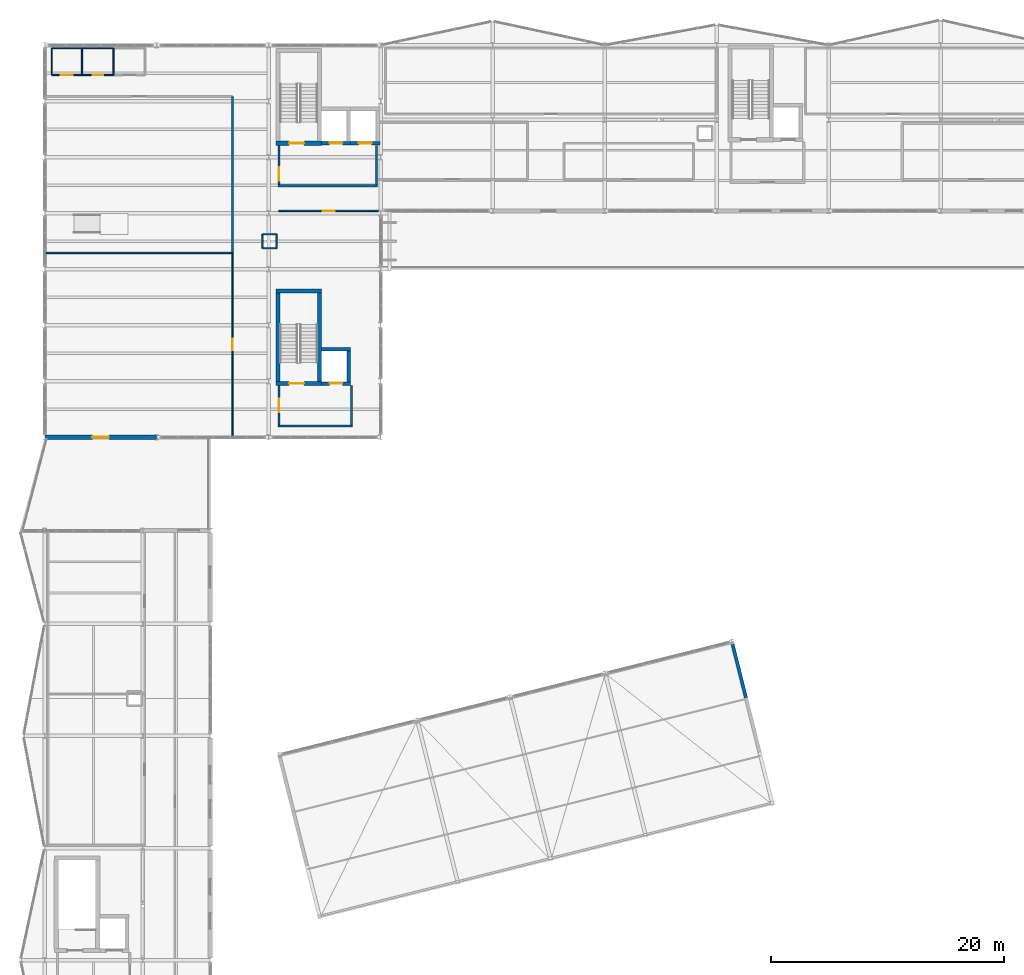
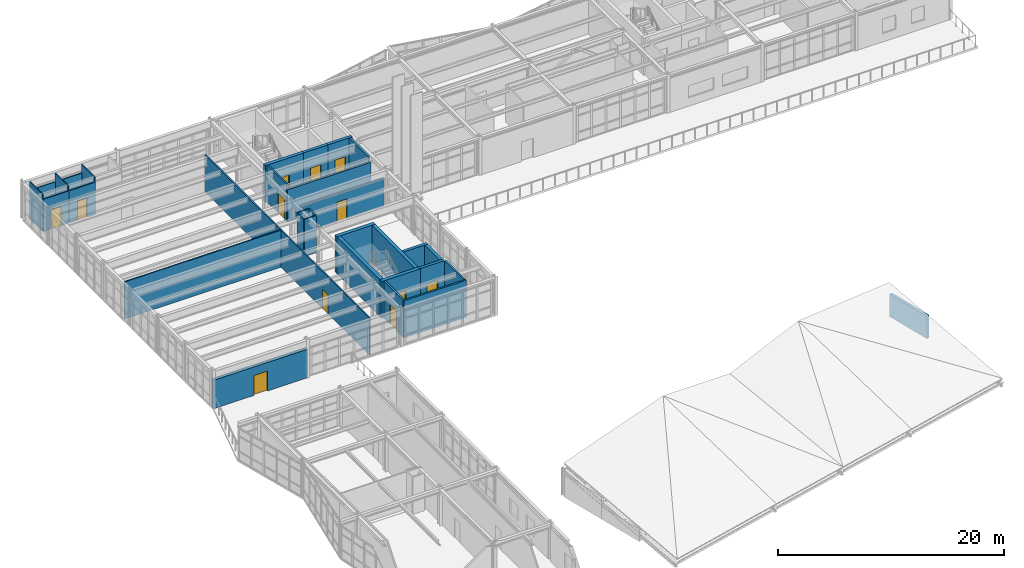
# One storey, part 41 of 47: 33 walls, 12 doors, 12 openings.
"""IFC4 building model written with IfcOpenShell, lengths in metres."""

from ifc_helpers import new_model, si_unit, direction, frame, frame_2d, origin, place, context, subcontext, project, spatial, rectangle, extrude, material, layer, layer_set, type_object, element, fill, save


model = new_model("IFC4")

# Units and contexts
model_context = context("Model", 3, precision=1e-05, world=origin(), true_north=direction((0.0, 1.0)))
body_context = subcontext(model_context, "Body", "Model", "MODEL_VIEW")
ifc_project = project(units=[si_unit("LENGTHUNIT", "METRE"), si_unit("AREAUNIT", "SQUARE_METRE"), si_unit("VOLUMEUNIT", "CUBIC_METRE"), si_unit("PLANEANGLEUNIT", "RADIAN"), si_unit("MASSUNIT", "GRAM", prefix="KILO")], contexts=[model_context])

# Site, building, storey
site_placement = place(None, origin())
site = spatial("IfcSite", under=ifc_project, at=site_placement, CompositionType="ELEMENT")
building_placement = place(site_placement, origin())
building = spatial("IfcBuilding", under=site, at=building_placement, Name="Nordkorset Police Headquarters", CompositionType="ELEMENT")
storey_placement = place(building_placement, frame((0.0, 0.0, 22.050048828125)))
storey = spatial("IfcBuildingStorey", under=building, at=storey_placement, Name="L05", CompositionType="ELEMENT", Elevation=22.050048828125)

# Walls
ifc_material_1 = material(Name="Gypsum board", Category="gypsum")
ifc_layer_1 = layer(ifc_material_1, 0.139892578125, Name="Gypsum board")
ifc_layer_set_1 = layer_set([ifc_layer_1], Name="Gypsum board")
wall_type_1 = type_object("IfcWallType", Name="Wall_Acoust_140", PredefinedType="PARTITIONING", material=ifc_layer_set_1)
wall_1_placement = place(storey_placement, frame((16.10009765625, 99.054931640625, 0.0), z_axis=(0.0, 0.0, 1.0), x_axis=(0.0, 1.0, 0.0)))
element("IfcWall", 1, at=wall_1_placement, inside=storey, type_object=wall_type_1, Name="Interior Partition Wall Case Preparation Hearing Room", PredefinedType="PARTITIONING", context=body_context, shape_type="SweptSolid", body=[
    extrude(rectangle(XDim=13.344970703125, YDim=0.139892578125, at=frame_2d((6.67236328125, 0.0))), origin(), (0.0, 0.0, 1.0), 4.0),
])
ifc_material_2 = material(Name="Gypsum board", Category="gypsum")
ifc_layer_2 = layer(ifc_material_2, 0.179931640625, Name="Gypsum board")
ifc_layer_set_2 = layer_set([ifc_layer_2], Name="Gypsum board")
wall_type_2 = type_object("IfcWallType", Name="Wall_Comp_180", PredefinedType="PARTITIONING", material=ifc_layer_set_2)
wall_2_placement = place(storey_placement, frame((20.0, 104.760009765625, 0.0), z_axis=(0.0, 0.0, 1.0), x_axis=(1.0, 0.0, 0.0)))
element("IfcWall", 2, at=wall_2_placement, inside=storey, type_object=wall_type_2, Name="Firefighting Lobby EI 60 Wall K1 L05 S", PredefinedType="PARTITIONING", context=body_context, shape_type="SweptSolid", body=[
    extrude(rectangle(XDim=8.550048828125, YDim=0.179931640625, at=frame_2d((4.27490234375, 0.0))), origin(), (0.0, 0.0, 1.0), 3.47998046875),
])

# Wall, opening, door
wall_3_placement = place(storey_placement, frame((20.090087890625, 104.85009765625, 0.0), z_axis=(0.0, 0.0, 1.0), x_axis=(0.0, 1.0, 0.0)))
wall_3 = element("IfcWall", 3, at=wall_3_placement, inside=storey, type_object=wall_type_2, Name="Firefighting Lobby EI 60 Wall K1 L05 W", PredefinedType="PARTITIONING", context=body_context, shape_type="SweptSolid", body=[
    extrude(rectangle(XDim=3.375, YDim=0.179931640625, at=frame_2d((1.6875, 0.0))), origin(), (0.0, 0.0, 1.0), 4.0),
])
opening_1_placement = place(wall_3_placement, frame((0.35009765625, 0.0, 0.0)))
opening_1 = element("IfcOpeningElement", 4, at=opening_1_placement, cuts=wall_3, Name="Opening DR-01", PredefinedType="OPENING", context=body_context, shape_type="SweptSolid", body=[
    extrude(rectangle(XDim=1.14990234375, YDim=2.14990234375, at=frame_2d((0.574951171875, 1.074951171875))), frame((0.0, 0.10009765625, 0.0), z_axis=(0.0, -1.0, 0.0), x_axis=(1.0, 0.0, 0.0)), (0.0, 0.0, 1.0), 0.199951171875),
])
ifc_material_3 = material(Name="Steel S355J2", Category="steel")
door_type_1 = type_object("IfcDoorType", Name="Door_LobbySingle_1150x2150", OperationType="NOTDEFINED", PredefinedType="DOOR", material=ifc_material_3)
door_1_placement = place(opening_1_placement, origin())
door_1 = element("IfcDoor", 5, at=door_1_placement, inside=storey, type_object=door_type_1, Name="Firefighting Lobby Smoke Door K1 L05 W", OperationType="SINGLE_SWING_LEFT", OverallHeight=2.14990234375, OverallWidth=1.14990234375, PredefinedType="DOOR", context=body_context, shape_type="SweptSolid", body=[
    extrude(rectangle(XDim=1.14990234375, YDim=2.14990234375, at=frame_2d((0.574951171875, 1.074951171875))), frame((0.0, 0.02490234375, 0.0), z_axis=(0.0, -1.0, 0.0), x_axis=(1.0, 0.0, 0.0)), (0.0, 0.0, 1.0), 0.050048828125),
])
fill(opening_1, door_1)

# Walls
wall_4_placement = place(storey_placement, frame((28.4599609375, 104.85009765625, 0.0), z_axis=(0.0, 0.0, 1.0), x_axis=(0.0, 1.0, 0.0)))
element("IfcWall", 6, at=wall_4_placement, inside=storey, type_object=wall_type_2, Name="Firefighting Lobby EI 60 Wall K1 L05 E", PredefinedType="PARTITIONING", context=body_context, shape_type="SweptSolid", body=[
    extrude(rectangle(XDim=3.375, YDim=0.179931640625, at=frame_2d((1.6875, 0.0))), origin(), (0.0, 0.0, 1.0), 4.0),
])
wall_5_placement = place(storey_placement, frame((20.0, 84.159912109375, 0.0), z_axis=(0.0, 0.0, 1.0), x_axis=(1.0, 0.0, 0.0)))
element("IfcWall", 7, at=wall_5_placement, inside=storey, type_object=wall_type_2, Name="Firefighting Lobby EI 60 Wall K3 L05 S", PredefinedType="PARTITIONING", context=body_context, shape_type="SweptSolid", body=[
    extrude(rectangle(XDim=6.39990234375, YDim=0.179931640625, at=frame_2d((3.199951171875, 0.0))), origin(), (0.0, 0.0, 1.0), 4.0),
])

# Wall, opening, door
wall_6_placement = place(storey_placement, frame((20.090087890625, 84.25, 0.0), z_axis=(0.0, 0.0, 1.0), x_axis=(0.0, 1.0, 0.0)))
wall_6 = element("IfcWall", 8, at=wall_6_placement, inside=storey, type_object=wall_type_2, Name="Firefighting Lobby EI 60 Wall K3 L05 W", PredefinedType="PARTITIONING", context=body_context, shape_type="SweptSolid", body=[
    extrude(rectangle(XDim=3.375, YDim=0.179931640625, at=frame_2d((1.6875, 0.0))), origin(), (0.0, 0.0, 1.0), 4.0),
])
opening_2_placement = place(wall_6_placement, frame((1.112548828125, 0.0, 0.0)))
opening_2 = element("IfcOpeningElement", 9, at=opening_2_placement, cuts=wall_6, Name="Opening DR-01", PredefinedType="OPENING", context=body_context, shape_type="SweptSolid", body=[
    extrude(rectangle(XDim=1.14990234375, YDim=2.14990234375, at=frame_2d((0.574951171875, 1.074951171875))), frame((0.0, 0.10009765625, 0.0), z_axis=(0.0, -1.0, 0.0), x_axis=(1.0, 0.0, 0.0)), (0.0, 0.0, 1.0), 0.199951171875),
])
door_2_placement = place(opening_2_placement, origin())
door_2 = element("IfcDoor", 10, at=door_2_placement, inside=storey, type_object=door_type_1, Name="Firefighting Lobby Smoke Door K3 L05 W", OperationType="SINGLE_SWING_RIGHT", OverallHeight=2.14990234375, OverallWidth=1.14990234375, PredefinedType="DOOR", context=body_context, shape_type="SweptSolid", body=[
    extrude(rectangle(XDim=1.14990234375, YDim=2.14990234375, at=frame_2d((0.574951171875, 1.074951171875))), frame((0.0, 0.02490234375, 0.0), z_axis=(0.0, -1.0, 0.0), x_axis=(1.0, 0.0, 0.0)), (0.0, 0.0, 1.0), 0.050048828125),
])
fill(opening_2, door_2)

# Wall
wall_7_placement = place(storey_placement, frame((26.31005859375, 84.25, 0.0), z_axis=(0.0, 0.0, 1.0), x_axis=(0.0, 1.0, 0.0)))
element("IfcWall", 11, at=wall_7_placement, inside=storey, type_object=wall_type_2, Name="Firefighting Lobby EI 60 Wall K3 L05 E", PredefinedType="PARTITIONING", context=body_context, shape_type="SweptSolid", body=[
    extrude(rectangle(XDim=3.375, YDim=0.179931640625, at=frame_2d((1.6875, 0.0))), origin(), (0.0, 0.0, 1.0), 4.0),
])

# Wall, opening, door
ifc_material_4 = material(Name="Concrete C35/45", Category="concrete")
ifc_layer_3 = layer(ifc_material_4, 0.35009765625, Name="Concrete C35/45")
ifc_layer_set_3 = layer_set([ifc_layer_3], Name="Concrete C35/45")
wall_type_3 = type_object("IfcWallType", Name="Wall_CoreShear_350", PredefinedType="SHEAR", material=ifc_layer_set_3)
wall_8_placement = place(storey_placement, frame((19.824951171875, 108.39990234375, 0.0), z_axis=(0.0, 0.0, 1.0), x_axis=(1.0, 0.0, 0.0)))
wall_8 = element("IfcWall", 12, at=wall_8_placement, inside=storey, type_object=wall_type_3, Name="Core K1 Stair Shaft South Shear Wall L05", PredefinedType="SHEAR", context=body_context, shape_type="SweptSolid", body=[
    extrude(rectangle(XDim=3.900146484375, YDim=0.35009765625, at=frame_2d((1.9501953125, 0.0))), origin(), (0.0, 0.0, 1.0), 4.0),
])
opening_3_placement = place(wall_8_placement, frame((1.125, 0.0, 0.0)))
opening_3 = element("IfcOpeningElement", 13, at=opening_3_placement, cuts=wall_8, Name="Opening DR-20", PredefinedType="OPENING", context=body_context, shape_type="SweptSolid", body=[
    extrude(rectangle(XDim=1.300048828125, YDim=2.14990234375, at=frame_2d((0.64990234375, 1.074951171875))), frame((0.0, 0.18505859375, 0.0), z_axis=(0.0, -1.0, 0.0), x_axis=(1.0, 0.0, 0.0)), (0.0, 0.0, 1.0), 0.3701171875),
])
ifc_material_5 = material(Name="Steel S355J2", Category="steel")
door_type_2 = type_object("IfcDoorType", Name="Door_Stair_1300x2150", OperationType="NOTDEFINED", PredefinedType="DOOR", material=ifc_material_5)
door_3_placement = place(opening_3_placement, frame((1.300048828125, 0.0, 0.0), z_axis=(0.0, 0.0, 1.0), x_axis=(-1.0, 0.0, 0.0)))
door_3 = element("IfcDoor", 14, at=door_3_placement, inside=storey, type_object=door_type_2, Name="Protected Stair Fire Door ST-01 L05", OperationType="SINGLE_SWING_RIGHT", OverallHeight=2.14990234375, OverallWidth=1.300048828125, PredefinedType="DOOR", context=body_context, shape_type="SweptSolid", body=[
    extrude(rectangle(XDim=1.300048828125, YDim=2.14990234375, at=frame_2d((0.64990234375, 1.074951171875))), frame((0.0, 0.02490234375, 0.0), z_axis=(0.0, -1.0, 0.0), x_axis=(1.0, 0.0, 0.0)), (0.0, 0.0, 1.0), 0.050048828125),
])
fill(opening_3, door_3)

wall_9_placement = place(storey_placement, frame((19.824951171875, 87.800048828125, 0.0), z_axis=(0.0, 0.0, 1.0), x_axis=(1.0, 0.0, 0.0)))
wall_9 = element("IfcWall", 15, at=wall_9_placement, inside=storey, type_object=wall_type_3, Name="Core K3 Stair Shaft South Shear Wall L05", PredefinedType="SHEAR", context=body_context, shape_type="SweptSolid", body=[
    extrude(rectangle(XDim=3.900146484375, YDim=0.35009765625, at=frame_2d((1.9501953125, 0.0))), origin(), (0.0, 0.0, 1.0), 4.0),
])
opening_4_placement = place(wall_9_placement, frame((1.125, 0.0, 0.0)))
opening_4 = element("IfcOpeningElement", 16, at=opening_4_placement, cuts=wall_9, Name="Opening DR-20", PredefinedType="OPENING", context=body_context, shape_type="SweptSolid", body=[
    extrude(rectangle(XDim=1.300048828125, YDim=2.14990234375, at=frame_2d((0.64990234375, 1.074951171875))), frame((0.0, 0.18505859375, 0.0), z_axis=(0.0, -1.0, 0.0), x_axis=(1.0, 0.0, 0.0)), (0.0, 0.0, 1.0), 0.3701171875),
])
door_4_placement = place(opening_4_placement, frame((1.300048828125, 0.0, 0.0), z_axis=(0.0, 0.0, 1.0), x_axis=(-1.0, 0.0, 0.0)))
door_4 = element("IfcDoor", 17, at=door_4_placement, inside=storey, type_object=door_type_2, Name="Protected Stair Fire Door ST-03 L05", OperationType="SINGLE_SWING_LEFT", OverallHeight=2.14990234375, OverallWidth=1.300048828125, PredefinedType="DOOR", context=body_context, shape_type="SweptSolid", body=[
    extrude(rectangle(XDim=1.300048828125, YDim=2.14990234375, at=frame_2d((0.64990234375, 1.074951171875))), frame((0.0, 0.02490234375, 0.0), z_axis=(0.0, -1.0, 0.0), x_axis=(1.0, 0.0, 0.0)), (0.0, 0.0, 1.0), 0.050048828125),
])
fill(opening_4, door_4)

# Walls
wall_10_placement = place(storey_placement, frame((19.824951171875, 95.75, 0.0), z_axis=(0.0, 0.0, 1.0), x_axis=(1.0, 0.0, 0.0)))
element("IfcWall", 18, at=wall_10_placement, inside=storey, type_object=wall_type_3, Name="Core K3 Stair Shaft North Shear Wall L05", PredefinedType="SHEAR", context=body_context, shape_type="SweptSolid", body=[
    extrude(rectangle(XDim=3.900146484375, YDim=0.35009765625, at=frame_2d((1.9501953125, 0.0))), origin(), (0.0, 0.0, 1.0), 4.0),
])
for number, where, z_axis, x_axis, name in (
    (19, (20.0, 87.97509765625, 0.0), (0.0, 0.0, 1.0), (0.0, 1.0, 0.0), "Core K3 Stair Shaft West Shear Wall L05"),
    (20, (23.550048828125, 87.97509765625, 0.0), (0.0, 0.0, 1.0), (0.0, 1.0, 0.0), "Core K3 Stair Shaft East Shear Wall L05"),
):
    element("IfcWall", number, at=place(storey_placement, frame(where, z_axis=z_axis, x_axis=x_axis)), inside=storey, type_object=wall_type_3, Name=name, PredefinedType="SHEAR", context=body_context, shape_type="SweptSolid", body=[
        extrude(rectangle(XDim=7.599853515625, YDim=0.35009765625, at=frame_2d((3.7998046875, 0.0))), origin(), (0.0, 0.0, 1.0), 4.0),
    ])

# Wall, opening, door
ifc_material_6 = material(Name="Precast concrete C40/50", Category="concrete")
ifc_layer_4 = layer(ifc_material_6, 0.360107421875, Name="Precast concrete C40/50")
ifc_layer_set_4 = layer_set([ifc_layer_4], Name="Precast concrete C40/50")
wall_type_4 = type_object("IfcWallType", Name="Wall_ExtPrecast_360", PredefinedType="SOLIDWALL", material=ifc_layer_set_4)
wall_11_placement = place(storey_placement, frame((0.009033203125, 83.199951171875, 0.0), z_axis=(0.0, 0.0, 1.0), x_axis=(1.0, 0.0, 0.0)))
wall_11 = element("IfcWall", 21, at=wall_11_placement, inside=storey, type_object=wall_type_4, Name="Exterior Insulated Precast Wall L05 V1S-0", PredefinedType="SOLIDWALL", context=body_context, shape_type="SweptSolid", body=[
    extrude(rectangle(XDim=9.58203125, YDim=0.360107421875, at=frame_2d((4.791015625, 0.0))), origin(), (0.0, 0.0, 1.0), 3.079833984375),
])
opening_5_placement = place(wall_11_placement, frame((4.091064453125, 0.0, 0.0)))
opening_5 = element("IfcOpeningElement", 22, at=opening_5_placement, cuts=wall_11, Name="Opening TD-04", PredefinedType="OPENING", context=body_context, shape_type="SweptSolid", body=[
    extrude(rectangle(XDim=1.39990234375, YDim=2.14990234375, at=frame_2d((0.699951171875, 1.074951171875))), frame((0.0, 0.18994140625, 0.0), z_axis=(0.0, -1.0, 0.0), x_axis=(1.0, 0.0, 0.0)), (0.0, 0.0, 1.0), 0.380126953125),
])
ifc_material_7 = material(Name="Aluminium alloy AW-6060", Category="aluminium")
door_type_3 = type_object("IfcDoorType", Name="ExtDoor_Terrace_1400x2150", OperationType="DOUBLE_DOOR_SINGLE_SWING", PredefinedType="DOOR", material=ifc_material_7)
door_5_placement = place(opening_5_placement, frame((1.39990234375, 0.0, 0.0), z_axis=(0.0, 0.0, 1.0), x_axis=(-1.0, 0.0, 0.0)))
door_5 = element("IfcDoor", 23, at=door_5_placement, inside=storey, type_object=door_type_3, Name="Forensic Wing Roof Terrace Access Door TD-04", OperationType="SINGLE_SWING_LEFT", OverallHeight=2.14990234375, OverallWidth=1.39990234375, PredefinedType="DOOR", context=body_context, shape_type="SweptSolid", body=[
    extrude(rectangle(XDim=1.39990234375, YDim=2.14990234375, at=frame_2d((0.699951171875, 1.074951171875))), frame((0.0, 0.02490234375, 0.0), z_axis=(0.0, -1.0, 0.0), x_axis=(1.0, 0.0, 0.0)), (0.0, 0.0, 1.0), 0.050048828125),
])
fill(opening_5, door_5)

# Wall
ifc_material_8 = material(Name="Precast concrete C40/50", Category="concrete")
ifc_layer_5 = layer(ifc_material_8, 0.280029296875, Name="Precast concrete C40/50")
ifc_layer_set_5 = layer_set([ifc_layer_5], Name="Precast concrete C40/50")
wall_type_5 = type_object("IfcWallType", Name="Wall_ExtSpandrel_280", PredefinedType="SOLIDWALL", material=ifc_layer_set_5)
wall_12_placement = place(storey_placement, frame((60.111328125, 60.87890625, 0.0), z_axis=(0.0, 0.0, 1.0), x_axis=(-0.242535625036, 0.970142500145, 0.0)))
element("IfcWall", 24, at=wall_12_placement, inside=storey, type_object=wall_type_5, Name="Exterior Insulated Precast Wall L05 V4MS-E-1", PredefinedType="SOLIDWALL", context=body_context, shape_type="SweptSolid", body=[
    extrude(rectangle(XDim=4.738037109375, YDim=0.280029296875, at=frame_2d((2.369140625, 0.0))), origin(), (0.0, 0.0, 1.0), 2.449951171875),
])

# Wall, opening, door
ifc_material_9 = material(Name="Gypsum board", Category="gypsum")
ifc_layer_6 = layer(ifc_material_9, 0.10009765625, Name="Gypsum board")
ifc_layer_set_6 = layer_set([ifc_layer_6], Name="Gypsum board")
wall_type_6 = type_object("IfcWallType", Name="Wall_Part_100", PredefinedType="PARTITIONING", material=ifc_layer_set_6)
wall_13_placement = place(storey_placement, frame((0.60009765625, 114.25, 0.0), z_axis=(0.0, 0.0, 1.0), x_axis=(1.0, 0.0, 0.0)))
wall_13 = element("IfcWall", 25, at=wall_13_placement, inside=storey, type_object=wall_type_6, Name="Interior Partition Wall Accessible WC L05W", PredefinedType="PARTITIONING", context=body_context, shape_type="SweptSolid", body=[
    extrude(rectangle(XDim=2.599853515625, YDim=0.10009765625, at=frame_2d((1.2998046875, 0.0))), origin(), (0.0, 0.0, 1.0), 3.47998046875),
])
opening_6_placement = place(wall_13_placement, frame((0.800048828125, 0.0, 0.0)))
opening_6 = element("IfcOpeningElement", 26, at=opening_6_placement, cuts=wall_13, Name="Opening DR-23", PredefinedType="OPENING", context=body_context, shape_type="SweptSolid", body=[
    extrude(rectangle(XDim=1.0, YDim=2.080078125, at=frame_2d((0.5, 1.0400390625))), frame((0.0, 0.06005859375, 0.0), z_axis=(0.0, -1.0, 0.0), x_axis=(1.0, 0.0, 0.0)), (0.0, 0.0, 1.0), 0.1201171875),
])
ifc_material_10 = material(Name="Glulam GL30c", Category="wood")
door_type_4 = type_object("IfcDoorType", Name="Door_WCAccess_1000x2080", OperationType="NOTDEFINED", PredefinedType="DOOR", material=ifc_material_10)
door_6_placement = place(opening_6_placement, frame((1.0, 0.0, 0.0), z_axis=(0.0, 0.0, 1.0), x_axis=(-1.0, 0.0, 0.0)))
door_6 = element("IfcDoor", 27, at=door_6_placement, inside=storey, type_object=door_type_4, Name="Interior Door Accessible WC L05W", OperationType="SINGLE_SWING_RIGHT", OverallHeight=2.080078125, OverallWidth=1.0, PredefinedType="DOOR", context=body_context, shape_type="SweptSolid", body=[
    extrude(rectangle(XDim=1.0, YDim=2.080078125, at=frame_2d((0.5, 1.0400390625))), frame((0.0, 0.02490234375, 0.0), z_axis=(0.0, -1.0, 0.0), x_axis=(1.0, 0.0, 0.0)), (0.0, 0.0, 1.0), 0.050048828125),
])
fill(opening_6, door_6)

# Walls
wall_14_placement = place(storey_placement, frame((3.199951171875, 114.25, 0.0), z_axis=(0.0, 0.0, 1.0), x_axis=(0.0, 1.0, 0.0)))
element("IfcWall", 28, at=wall_14_placement, inside=storey, type_object=wall_type_6, Name="Interior Partition Wall Accessible WC L05W", PredefinedType="PARTITIONING", context=body_context, shape_type="SweptSolid", body=[
    extrude(rectangle(XDim=2.300048828125, YDim=0.10009765625, at=frame_2d((1.14990234375, 0.0))), origin(), (0.0, 0.0, 1.0), 4.0),
])
wall_15_placement = place(storey_placement, frame((3.199951171875, 116.550048828125, 0.0), z_axis=(0.0, 0.0, 1.0), x_axis=(-1.0, 0.0, 0.0)))
element("IfcWall", 29, at=wall_15_placement, inside=storey, type_object=wall_type_6, Name="Interior Partition Wall Accessible WC L05W", PredefinedType="PARTITIONING", context=body_context, shape_type="SweptSolid", body=[
    extrude(rectangle(XDim=2.599853515625, YDim=0.10009765625, at=frame_2d((1.2998046875, 0.0))), origin(), (0.0, 0.0, 1.0), 3.079833984375),
])
wall_16_placement = place(storey_placement, frame((0.60009765625, 116.550048828125, 0.0), z_axis=(0.0, 0.0, 1.0), x_axis=(0.0, -1.0, 0.0)))
element("IfcWall", 30, at=wall_16_placement, inside=storey, type_object=wall_type_6, Name="Interior Partition Wall Accessible WC L05W", PredefinedType="PARTITIONING", context=body_context, shape_type="SweptSolid", body=[
    extrude(rectangle(XDim=2.300048828125, YDim=0.10009765625, at=frame_2d((1.14990234375, 0.0))), origin(), (0.0, 0.0, 1.0), 4.0),
])

# Wall, opening, door
wall_17_placement = place(storey_placement, frame((3.2451171875, 114.25, 0.0), z_axis=(0.0, 0.0, 1.0), x_axis=(1.0, 0.0, 0.0)))
wall_17 = element("IfcWall", 31, at=wall_17_placement, inside=storey, type_object=wall_type_6, Name="Interior Partition Wall Staff Female WC L05W", PredefinedType="PARTITIONING", context=body_context, shape_type="SweptSolid", body=[
    extrude(rectangle(XDim=2.65478515625, YDim=0.10009765625, at=frame_2d((1.327392578125, 0.0))), origin(), (0.0, 0.0, 1.0), 3.47998046875),
])
opening_7_placement = place(wall_17_placement, frame((0.867431640625, 0.0, 0.0)))
opening_7 = element("IfcOpeningElement", 32, at=opening_7_placement, cuts=wall_17, Name="Opening DR-21", PredefinedType="OPENING", context=body_context, shape_type="SweptSolid", body=[
    extrude(rectangle(XDim=0.919921875, YDim=2.080078125, at=frame_2d((0.4599609375, 1.0400390625))), frame((0.0, 0.06005859375, 0.0), z_axis=(0.0, -1.0, 0.0), x_axis=(1.0, 0.0, 0.0)), (0.0, 0.0, 1.0), 0.1201171875),
])
ifc_material_11 = material(Name="Glulam GL30c", Category="wood")
door_type_5 = type_object("IfcDoorType", Name="Door_WCStaff_920x2080", OperationType="NOTDEFINED", PredefinedType="DOOR", material=ifc_material_11)
door_7_placement = place(opening_7_placement, origin())
door_7 = element("IfcDoor", 33, at=door_7_placement, inside=storey, type_object=door_type_5, Name="Interior Door Staff Female WC L05W", OperationType="SINGLE_SWING_LEFT", OverallHeight=2.080078125, OverallWidth=0.919921875, PredefinedType="DOOR", context=body_context, shape_type="SweptSolid", body=[
    extrude(rectangle(XDim=0.919921875, YDim=2.080078125, at=frame_2d((0.4599609375, 1.0400390625))), frame((0.0, 0.02490234375, 0.0), z_axis=(0.0, -1.0, 0.0), x_axis=(1.0, 0.0, 0.0)), (0.0, 0.0, 1.0), 0.050048828125),
])
fill(opening_7, door_7)

# Walls
wall_18_placement = place(storey_placement, frame((5.89990234375, 114.25, 0.0), z_axis=(0.0, 0.0, 1.0), x_axis=(0.0, 1.0, 0.0)))
element("IfcWall", 34, at=wall_18_placement, inside=storey, type_object=wall_type_6, Name="Interior Partition Wall Staff Female WC L05W", PredefinedType="PARTITIONING", context=body_context, shape_type="SweptSolid", body=[
    extrude(rectangle(XDim=2.300048828125, YDim=0.10009765625, at=frame_2d((1.14990234375, 0.0))), origin(), (0.0, 0.0, 1.0), 4.0),
])
wall_19_placement = place(storey_placement, frame((5.89990234375, 116.550048828125, 0.0), z_axis=(0.0, 0.0, 1.0), x_axis=(-1.0, 0.0, 0.0)))
element("IfcWall", 35, at=wall_19_placement, inside=storey, type_object=wall_type_6, Name="Interior Partition Wall Staff Female WC L05W", PredefinedType="PARTITIONING", context=body_context, shape_type="SweptSolid", body=[
    extrude(rectangle(XDim=2.65478515625, YDim=0.10009765625, at=frame_2d((1.327392578125, 0.0))), origin(), (0.0, 0.0, 1.0), 3.079833984375),
])

# Wall, opening, door
ifc_material_12 = material(Name="Gypsum board", Category="gypsum")
ifc_layer_7 = layer(ifc_material_12, 0.1201171875, Name="Gypsum board")
ifc_layer_set_7 = layer_set([ifc_layer_7], Name="Gypsum board")
wall_type_7 = type_object("IfcWallType", Name="Wall_Part_120", PredefinedType="PARTITIONING", material=ifc_layer_set_7)
wall_20_placement = place(storey_placement, frame((16.10009765625, 83.284912109375, 0.0), z_axis=(0.0, 0.0, 1.0), x_axis=(0.0, 1.0, 0.0)))
wall_20 = element("IfcWall", 36, at=wall_20_placement, inside=storey, type_object=wall_type_7, Name="Interior Partition Wall Police Prosecution Directorate Suite", PredefinedType="PARTITIONING", context=body_context, shape_type="SweptSolid", body=[
    extrude(rectangle(XDim=15.715087890625, YDim=0.1201171875, at=frame_2d((7.857421875, 0.0))), origin(), (0.0, 0.0, 1.0), 4.0),
])
opening_8_placement = place(wall_20_placement, frame((7.367431640625, 0.0, 0.0)))
opening_8 = element("IfcOpeningElement", 37, at=opening_8_placement, cuts=wall_20, Name="Opening DR-18", PredefinedType="OPENING", context=body_context, shape_type="SweptSolid", body=[
    extrude(rectangle(XDim=0.97998046875, YDim=2.10009765625, at=frame_2d((0.489990234375, 1.050048828125))), frame((0.0, 0.070068359375, 0.0), z_axis=(0.0, -1.0, 0.0), x_axis=(1.0, 0.0, 0.0)), (0.0, 0.0, 1.0), 0.14013671875),
])
ifc_material_13 = material(Name="Glulam GL30c", Category="wood")
door_type_6 = type_object("IfcDoorType", Name="Door_Office_980x2100", OperationType="NOTDEFINED", PredefinedType="DOOR", material=ifc_material_13)
door_8_placement = place(opening_8_placement, frame((0.97998046875, 0.0, 0.0), z_axis=(0.0, 0.0, 1.0), x_axis=(-1.0, 0.0, 0.0)))
door_8 = element("IfcDoor", 38, at=door_8_placement, inside=storey, type_object=door_type_6, Name="Interior Door Police Prosecution Directorate Suite", OperationType="SINGLE_SWING_RIGHT", OverallHeight=2.10009765625, OverallWidth=0.97998046875, PredefinedType="DOOR", context=body_context, shape_type="SweptSolid", body=[
    extrude(rectangle(XDim=0.97998046875, YDim=2.10009765625, at=frame_2d((0.489990234375, 1.050048828125))), frame((0.0, 0.02490234375, 0.0), z_axis=(0.0, -1.0, 0.0), x_axis=(1.0, 0.0, 0.0)), (0.0, 0.0, 1.0), 0.050048828125),
])
fill(opening_8, door_8)

# Wall
wall_21_placement = place(storey_placement, frame((16.10009765625, 99.0, 0.0), z_axis=(0.0, 0.0, 1.0), x_axis=(-1.0, 0.0, 0.0)))
element("IfcWall", 39, at=wall_21_placement, inside=storey, type_object=wall_type_7, Name="Interior Partition Wall Police Prosecution Directorate Suite", PredefinedType="PARTITIONING", context=body_context, shape_type="SweptSolid", body=[
    extrude(rectangle(XDim=16.01513671875, YDim=0.1201171875, at=frame_2d((8.007568359375, 0.0))), origin(), (0.0, 0.0, 1.0), 4.0),
])

# Wall, opening, door
wall_22_placement = place(storey_placement, frame((28.60009765625, 102.60009765625, 0.0), z_axis=(0.0, 0.0, 1.0), x_axis=(-1.0, 0.0, 0.0)))
wall_22 = element("IfcWall", 40, at=wall_22_placement, inside=storey, type_object=wall_type_7, Name="Interior Partition Wall Prosecution Clerks Workroom", PredefinedType="PARTITIONING", context=body_context, shape_type="SweptSolid", body=[
    extrude(rectangle(XDim=8.52001953125, YDim=0.1201171875, at=frame_2d((4.260009765625, 0.0))), origin(), (0.0, 0.0, 1.0), 3.079833984375),
])
opening_9_placement = place(wall_22_placement, frame((3.75, 0.0, 0.0)))
opening_9 = element("IfcOpeningElement", 41, at=opening_9_placement, cuts=wall_22, Name="Opening DR-19", PredefinedType="OPENING", context=body_context, shape_type="SweptSolid", body=[
    extrude(rectangle(XDim=1.02001953125, YDim=2.10009765625, at=frame_2d((0.510009765625, 1.050048828125))), frame((0.0, 0.070068359375, 0.0), z_axis=(0.0, -1.0, 0.0), x_axis=(1.0, 0.0, 0.0)), (0.0, 0.0, 1.0), 0.14013671875),
])
ifc_material_14 = material(Name="Glulam GL30c", Category="wood")
door_type_7 = type_object("IfcDoorType", Name="Door_Office_1020x2100", OperationType="NOTDEFINED", PredefinedType="DOOR", material=ifc_material_14)
door_9_placement = place(opening_9_placement, origin())
door_9 = element("IfcDoor", 42, at=door_9_placement, inside=storey, type_object=door_type_7, Name="Interior Door Prosecution Clerks Workroom", OperationType="SINGLE_SWING_LEFT", OverallHeight=2.10009765625, OverallWidth=1.02001953125, PredefinedType="DOOR", context=body_context, shape_type="SweptSolid", body=[
    extrude(rectangle(XDim=1.02001953125, YDim=2.10009765625, at=frame_2d((0.510009765625, 1.050048828125))), frame((0.0, 0.02490234375, 0.0), z_axis=(0.0, -1.0, 0.0), x_axis=(1.0, 0.0, 0.0)), (0.0, 0.0, 1.0), 0.050048828125),
])
fill(opening_9, door_9)

# Walls
ifc_material_15 = material(Name="Gypsum board", Category="gypsum")
ifc_layer_8 = layer(ifc_material_15, 0.125, Name="Gypsum board")
ifc_layer_set_8 = layer_set([ifc_layer_8], Name="Gypsum board")
wall_type_8 = type_object("IfcWallType", Name="Wall_Riser_125", PredefinedType="PARTITIONING", material=ifc_layer_set_8)
wall_23_placement = place(storey_placement, frame((18.679931640625, 99.39990234375, 0.0), z_axis=(0.0, 0.0, 1.0), x_axis=(1.0, 0.0, 0.0)))
element("IfcWall", 43, at=wall_23_placement, inside=storey, type_object=wall_type_8, Name="Service Riser Enclosure RSR-V1 L05", PredefinedType="PARTITIONING", context=body_context, shape_type="SweptSolid", body=[
    extrude(rectangle(XDim=1.199951171875, YDim=0.125, at=frame_2d((0.60009765625, 0.0))), origin(), (0.0, 0.0, 1.0), 4.0),
])
wall_24_placement = place(storey_placement, frame((19.8798828125, 99.39990234375, 0.0), z_axis=(0.0, 0.0, 1.0), x_axis=(0.0, 1.0, 0.0)))
element("IfcWall", 44, at=wall_24_placement, inside=storey, type_object=wall_type_8, Name="Service Riser Enclosure RSR-V1 L05", PredefinedType="PARTITIONING", context=body_context, shape_type="SweptSolid", body=[
    extrude(rectangle(XDim=1.2001953125, YDim=0.125, at=frame_2d((0.60009765625, 0.0))), origin(), (0.0, 0.0, 1.0), 4.0),
])
wall_25_placement = place(storey_placement, frame((19.8798828125, 100.60009765625, 0.0), z_axis=(0.0, 0.0, 1.0), x_axis=(-1.0, 0.0, 0.0)))
element("IfcWall", 45, at=wall_25_placement, inside=storey, type_object=wall_type_8, Name="Service Riser Enclosure RSR-V1 L05", PredefinedType="PARTITIONING", context=body_context, shape_type="SweptSolid", body=[
    extrude(rectangle(XDim=1.199951171875, YDim=0.125, at=frame_2d((0.60009765625, 0.0))), origin(), (0.0, 0.0, 1.0), 4.0),
])
wall_26_placement = place(storey_placement, frame((18.679931640625, 100.60009765625, 0.0), z_axis=(0.0, 0.0, 1.0), x_axis=(0.0, -1.0, 0.0)))
element("IfcWall", 46, at=wall_26_placement, inside=storey, type_object=wall_type_8, Name="Service Riser Enclosure RSR-V1 L05", PredefinedType="PARTITIONING", context=body_context, shape_type="SweptSolid", body=[
    extrude(rectangle(XDim=1.2001953125, YDim=0.125, at=frame_2d((0.60009765625, 0.0))), origin(), (0.0, 0.0, 1.0), 4.0),
])

# Wall, opening, door
ifc_material_16 = material(Name="Concrete C35/45", Category="concrete")
ifc_layer_9 = layer(ifc_material_16, 0.300048828125, Name="Concrete C35/45")
ifc_layer_set_9 = layer_set([ifc_layer_9], Name="Concrete C35/45")
wall_type_9 = type_object("IfcWallType", Name="Wall_ShaftShear_300", PredefinedType="SHEAR", material=ifc_layer_set_9)
wall_27_placement = place(storey_placement, frame((23.72509765625, 108.39990234375, 0.0), z_axis=(0.0, 0.0, 1.0), x_axis=(1.0, 0.0, 0.0)))
wall_27 = element("IfcWall", 47, at=wall_27_placement, inside=storey, type_object=wall_type_9, Name="Lift Shaft LF-01 Front Shear Wall L05", PredefinedType="SHEAR", context=body_context, shape_type="SweptSolid", body=[
    extrude(rectangle(XDim=2.5, YDim=0.300048828125, at=frame_2d((1.25, 0.0))), origin(), (0.0, 0.0, 1.0), 4.0),
])
opening_10_placement = place(wall_27_placement, frame((0.699951171875, 0.0, 0.0)))
opening_10 = element("IfcOpeningElement", 48, at=opening_10_placement, cuts=wall_27, Name="Opening LD-01", PredefinedType="OPENING", context=body_context, shape_type="SweptSolid", body=[
    extrude(rectangle(XDim=1.10009765625, YDim=2.10009765625, at=frame_2d((0.550048828125, 1.050048828125))), frame((0.0, 0.16015625, 0.0), z_axis=(0.0, -1.0, 0.0), x_axis=(1.0, 0.0, 0.0)), (0.0, 0.0, 1.0), 0.320068359375),
])
ifc_material_17 = material(Name="Steel S355J2", Category="steel")
door_type_8 = type_object("IfcDoorType", Name="Door_LiftLanding_1100x2100", OperationType="SLIDING_TO_LEFT", PredefinedType="DOOR", material=ifc_material_17)
door_10_placement = place(opening_10_placement, frame((1.10009765625, 0.0, 0.0), z_axis=(0.0, 0.0, 1.0), x_axis=(-1.0, 0.0, 0.0)))
door_10 = element("IfcDoor", 49, at=door_10_placement, inside=storey, type_object=door_type_8, Name="Lift Landing Sliding Door LF-01 L05", OperationType="SLIDING_TO_LEFT", OverallHeight=2.10009765625, OverallWidth=1.10009765625, PredefinedType="DOOR", context=body_context, shape_type="SweptSolid", body=[
    extrude(rectangle(XDim=1.10009765625, YDim=2.10009765625, at=frame_2d((0.550048828125, 1.050048828125))), frame((0.0, 0.02490234375, 0.0), z_axis=(0.0, -1.0, 0.0), x_axis=(1.0, 0.0, 0.0)), (0.0, 0.0, 1.0), 0.050048828125),
])
fill(opening_10, door_10)

wall_28_placement = place(storey_placement, frame((26.22509765625, 108.39990234375, 0.0), z_axis=(0.0, 0.0, 1.0), x_axis=(1.0, 0.0, 0.0)))
wall_28 = element("IfcWall", 50, at=wall_28_placement, inside=storey, type_object=wall_type_9, Name="Lift Shaft LF-02 Front Shear Wall L05", PredefinedType="SHEAR", context=body_context, shape_type="SweptSolid", body=[
    extrude(rectangle(XDim=2.5, YDim=0.300048828125, at=frame_2d((1.25, 0.0))), origin(), (0.0, 0.0, 1.0), 4.0),
])
opening_11_placement = place(wall_28_placement, frame((0.699951171875, 0.0, 0.0)))
opening_11 = element("IfcOpeningElement", 51, at=opening_11_placement, cuts=wall_28, Name="Opening LD-02", PredefinedType="OPENING", context=body_context, shape_type="SweptSolid", body=[
    extrude(rectangle(XDim=1.10009765625, YDim=2.10009765625, at=frame_2d((0.550048828125, 1.050048828125))), frame((0.0, 0.16015625, 0.0), z_axis=(0.0, -1.0, 0.0), x_axis=(1.0, 0.0, 0.0)), (0.0, 0.0, 1.0), 0.320068359375),
])
door_11_placement = place(opening_11_placement, frame((1.10009765625, 0.0, 0.0), z_axis=(0.0, 0.0, 1.0), x_axis=(-1.0, 0.0, 0.0)))
door_11 = element("IfcDoor", 52, at=door_11_placement, inside=storey, type_object=door_type_8, Name="Lift Landing Sliding Door LF-02 L05", OperationType="SLIDING_TO_LEFT", OverallHeight=2.10009765625, OverallWidth=1.10009765625, PredefinedType="DOOR", context=body_context, shape_type="SweptSolid", body=[
    extrude(rectangle(XDim=1.10009765625, YDim=2.10009765625, at=frame_2d((0.550048828125, 1.050048828125))), frame((0.0, 0.02490234375, 0.0), z_axis=(0.0, -1.0, 0.0), x_axis=(1.0, 0.0, 0.0)), (0.0, 0.0, 1.0), 0.050048828125),
])
fill(opening_11, door_11)

wall_29_placement = place(storey_placement, frame((23.72509765625, 87.800048828125, 0.0), z_axis=(0.0, 0.0, 1.0), x_axis=(1.0, 0.0, 0.0)))
wall_29 = element("IfcWall", 53, at=wall_29_placement, inside=storey, type_object=wall_type_9, Name="Lift Shaft LF-03 Front Shear Wall L05", PredefinedType="SHEAR", context=body_context, shape_type="SweptSolid", body=[
    extrude(rectangle(XDim=2.5, YDim=0.300048828125, at=frame_2d((1.25, 0.0))), origin(), (0.0, 0.0, 1.0), 4.0),
])
opening_12_placement = place(wall_29_placement, frame((0.699951171875, 0.0, 0.0)))
opening_12 = element("IfcOpeningElement", 54, at=opening_12_placement, cuts=wall_29, Name="Opening LD-03", PredefinedType="OPENING", context=body_context, shape_type="SweptSolid", body=[
    extrude(rectangle(XDim=1.10009765625, YDim=2.10009765625, at=frame_2d((0.550048828125, 1.050048828125))), frame((0.0, 0.16015625, 0.0), z_axis=(0.0, -1.0, 0.0), x_axis=(1.0, 0.0, 0.0)), (0.0, 0.0, 1.0), 0.320068359375),
])
door_12_placement = place(opening_12_placement, frame((1.10009765625, 0.0, 0.0), z_axis=(0.0, 0.0, 1.0), x_axis=(-1.0, 0.0, 0.0)))
door_12 = element("IfcDoor", 55, at=door_12_placement, inside=storey, type_object=door_type_8, Name="Lift Landing Sliding Door LF-03 L05", OperationType="SLIDING_TO_LEFT", OverallHeight=2.10009765625, OverallWidth=1.10009765625, PredefinedType="DOOR", context=body_context, shape_type="SweptSolid", body=[
    extrude(rectangle(XDim=1.10009765625, YDim=2.10009765625, at=frame_2d((0.550048828125, 1.050048828125))), frame((0.0, 0.02490234375, 0.0), z_axis=(0.0, -1.0, 0.0), x_axis=(1.0, 0.0, 0.0)), (0.0, 0.0, 1.0), 0.050048828125),
])
fill(opening_12, door_12)

# Walls
wall_30_placement = place(storey_placement, frame((23.72509765625, 90.75, 0.0), z_axis=(0.0, 0.0, 1.0), x_axis=(1.0, 0.0, 0.0)))
element("IfcWall", 56, at=wall_30_placement, inside=storey, type_object=wall_type_9, Name="Lift Shaft LF-03 Rear Shear Wall L05", PredefinedType="SHEAR", context=body_context, shape_type="SweptSolid", body=[
    extrude(rectangle(XDim=2.5, YDim=0.300048828125, at=frame_2d((1.25, 0.0))), origin(), (0.0, 0.0, 1.0), 4.0),
])
wall_31_placement = place(storey_placement, frame((26.050048828125, 87.949951171875, 0.0), z_axis=(0.0, 0.0, 1.0), x_axis=(0.0, 1.0, 0.0)))
element("IfcWall", 57, at=wall_31_placement, inside=storey, type_object=wall_type_9, Name="Lift Shaft LF-03 East Shear Wall L05", PredefinedType="SHEAR", context=body_context, shape_type="SweptSolid", body=[
    extrude(rectangle(XDim=2.650146484375, YDim=0.300048828125, at=frame_2d((1.3251953125, 0.0))), origin(), (0.0, 0.0, 1.0), 4.0),
])

save(model, "model.ifc")
